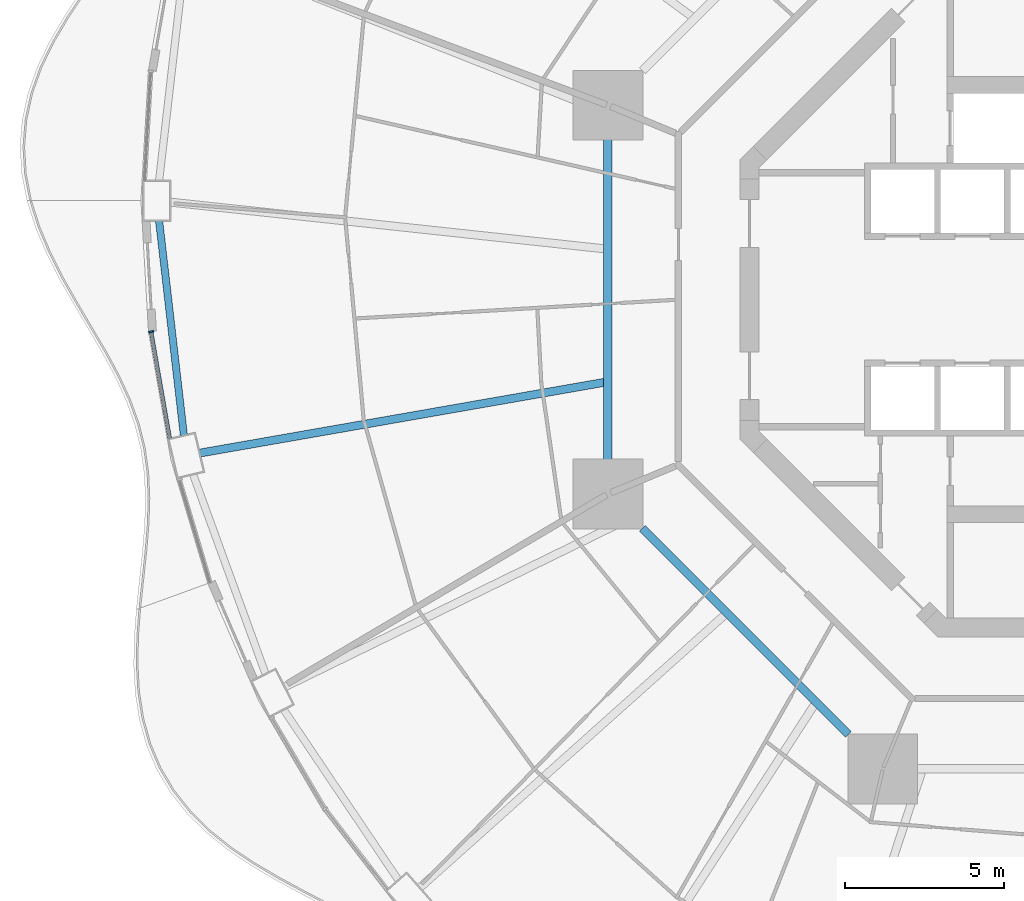
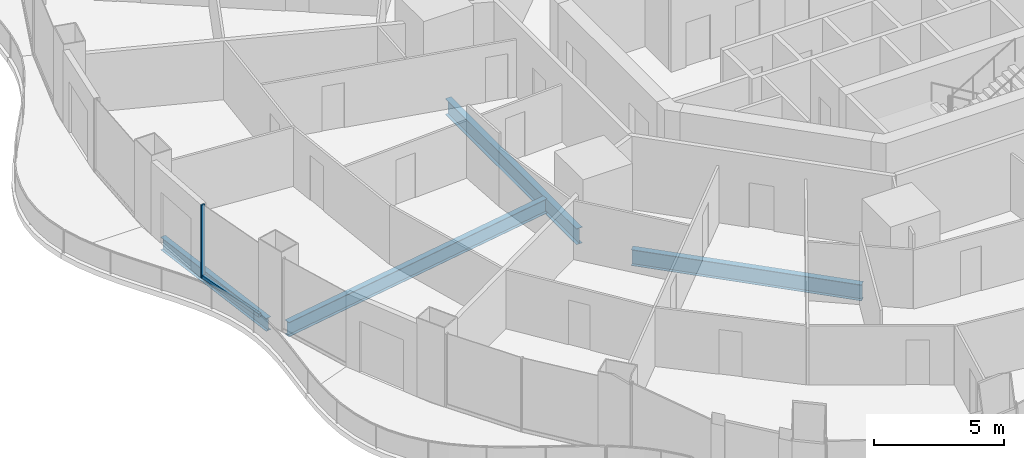
# One storey, part 4 of 22: 4 beams, 2 members, 1 element without a shape of its own.
"""IFC4 building model written with IfcOpenShell, lengths in metres."""

from ifc_helpers import new_model, si_unit, direction, frame, origin, origin_2d, place, context, subcontext, project, spatial, rectangle, i_section, extrude, material, layer, layer_set, material_profile, profile_set, type_object, element, aggregate, save


model = new_model("IFC4")

# Units and contexts
model_context = context("Model", 3, precision=1e-05, world=origin(), true_north=direction((0.0, 1.0)))
body_context = subcontext(model_context, "Body", "Model", "MODEL_VIEW")
ifc_project = project(units=[si_unit("LENGTHUNIT", "METRE"), si_unit("AREAUNIT", "SQUARE_METRE"), si_unit("VOLUMEUNIT", "CUBIC_METRE"), si_unit("PLANEANGLEUNIT", "RADIAN"), si_unit("MASSUNIT", "GRAM", prefix="KILO")], contexts=[model_context])

# Site, building, storey
site_placement = place(None, origin())
site = spatial("IfcSite", under=ifc_project, at=site_placement, CompositionType="ELEMENT")
building_placement = place(site_placement, origin())
building = spatial("IfcBuilding", under=site, at=building_placement, Name="Nagisa Residences", CompositionType="ELEMENT")
storey_placement = place(building_placement, frame((0.0, 0.0, 88.10009765625)))
storey = spatial("IfcBuildingStorey", under=building, at=storey_placement, Name="L21", CompositionType="ELEMENT", Elevation=88.10009765625)

# Curtain wall, members
ifc_material_1 = material(Name="Concrete-coloured aluminium curtain wall system", Category="concrete")
ifc_layer = layer(ifc_material_1, 0.159912109375)
ifc_layer_set = layer_set([ifc_layer], Name="CW1 CURTAIN WALL")
curtain_wall_type = type_object("IfcCurtainWallType", Name="CW1 CURTAIN WALL", PredefinedType="NOTDEFINED", material=ifc_layer_set)
curtain_wall_placement = place(storey_placement, origin())
curtain_wall = element("IfcCurtainWall", 1, at=curtain_wall_placement, inside=storey, type_object=curtain_wall_type, Name="cw:CW1:L21:25", PredefinedType="NOTDEFINED")
ifc_material_2 = material(Name="Concrete-coloured aluminium", Category="concrete")
ifc_material_profile_1 = material_profile(ifc_material_2, rectangle(XDim=0.159912109375, YDim=0.06005859375, at=origin_2d()), Name="CW1 MULLION 160x60")
ifc_profile_set_1 = profile_set([ifc_material_profile_1], Name="Concrete-coloured aluminium")
member_type_1 = type_object("IfcMemberType", Name="CW1 MULLION 160x60", PredefinedType="MULLION", material=ifc_profile_set_1)
member_1_placement = place(storey_placement, frame((-29.174072265625, -1.01171875, 0.0), z_axis=(0.0, 0.0, 1.0), x_axis=(0.985063604377, 0.172190868898, 0.0)))
member_1 = element("IfcMember", 2, at=member_1_placement, type_object=member_type_1, Name="CW1 mullion", PredefinedType="MULLION", context=body_context, shape_type="SweptSolid", body=[
    extrude(rectangle(XDim=0.159912109375, YDim=0.06005859375, at=origin_2d()), origin(), (0.0, 0.0, 1.0), 3.43994140625),
])
ifc_material_3 = material(Name="Concrete-coloured aluminium", Category="concrete")
ifc_material_profile_2 = material_profile(ifc_material_3, rectangle(XDim=0.1201171875, YDim=0.14990234375, at=origin_2d()), Name="CW1 TRANSOM 120x150")
ifc_profile_set_2 = profile_set([ifc_material_profile_2], Name="Concrete-coloured aluminium")
member_type_2 = type_object("IfcMemberType", Name="CW1 TRANSOM 120x150", PredefinedType="USERDEFINED", material=ifc_profile_set_2)
member_2_placement = place(storey_placement, frame((-29.17919921875, -0.982177734375, 0.074951171875), z_axis=(0.172164316671, -0.985068245385, 0.0), x_axis=(0.985068245385, 0.172164316671, 0.0)))
member_2 = element("IfcMember", 3, at=member_2_placement, type_object=member_type_2, Name="CW1 transom", ObjectType="TRANSOM", PredefinedType="USERDEFINED", context=body_context, shape_type="SweptSolid", body=[
    extrude(rectangle(XDim=0.1201171875, YDim=0.14990234375, at=origin_2d()), origin(), (0.0, 0.0, 1.0), 3.454345703125),
])
aggregate(curtain_wall, [member_1, member_2])

# Beams
ifc_material_4 = material(Name="Steel ASTM A572 Gr 50", Category="steel")
ifc_material_profile_3 = material_profile(ifc_material_4, i_section(OverallWidth=0.264892578125, OverallDepth=0.7529296875, WebThickness=0.01318359375, FlangeThickness=0.01708984375, at=origin_2d()), Name="W760x147")
ifc_profile_set_3 = profile_set([ifc_material_profile_3], Name="Steel ASTM A572 Gr 50")
beam_type_1 = type_object("IfcBeamType", Name="Inner ring beam W760x147", PredefinedType="BEAM", material=ifc_profile_set_3)
beam_1_placement = place(storey_placement, frame((-14.781982421875, 5.04296875, -0.63671875), z_axis=(0.0, -1.0, 0.0), x_axis=(1.0, 0.0, 0.0)))
element("IfcBeam", 4, at=beam_1_placement, inside=storey, type_object=beam_type_1, Name="beam:L21:ib4", PredefinedType="BEAM", context=body_context, shape_type="SweptSolid", body=[
    extrude(i_section(OverallWidth=0.264892578125, OverallDepth=0.7529296875, WebThickness=0.01318359375, FlangeThickness=0.01708984375, at=origin_2d()), origin(), (0.0, 0.0, 1.0), 10.0859375),
])
beam_2_placement = place(storey_placement, frame((-13.6962890625, -7.208740234375, -0.63671875), z_axis=(0.707106781187, -0.707106781187, 0.0), x_axis=(0.707106781187, 0.707106781187, 0.0)))
element("IfcBeam", 5, at=beam_2_placement, inside=storey, type_object=beam_type_1, Name="beam:L21:ib5", PredefinedType="BEAM", context=body_context, shape_type="SweptSolid", body=[
    extrude(i_section(OverallWidth=0.264892578125, OverallDepth=0.7529296875, WebThickness=0.01318359375, FlangeThickness=0.01708984375, at=origin_2d()), origin(), (0.0, 0.0, 1.0), 9.1748046875),
])
ifc_material_5 = material(Name="Steel ASTM A572 Gr 50", Category="steel")
ifc_material_profile_4 = material_profile(ifc_material_5, i_section(OverallWidth=0.22802734375, OverallDepth=0.60302734375, WebThickness=0.010498046875, FlangeThickness=0.014892578125, at=origin_2d()), Name="W610x101")
ifc_profile_set_4 = profile_set([ifc_material_profile_4], Name="Steel ASTM A572 Gr 50")
beam_type_2 = type_object("IfcBeamType", Name="Perimeter ring beam W610x101", PredefinedType="BEAM", material=ifc_profile_set_4)
beam_3_placement = place(storey_placement, frame((-28.92236328125, 2.487548828125, -0.5615234375), z_axis=(0.114690766503, -0.993401242237, 0.0), x_axis=(0.993401242237, 0.114690766503, 0.0)))
element("IfcBeam", 6, at=beam_3_placement, inside=storey, type_object=beam_type_2, Name="beam:L21:pb13", PredefinedType="BEAM", context=body_context, shape_type="SweptSolid", body=[
    extrude(i_section(OverallWidth=0.22802734375, OverallDepth=0.60302734375, WebThickness=0.010498046875, FlangeThickness=0.014892578125, at=origin_2d()), origin(), (0.0, 0.0, 1.0), 6.811767578125),
])
ifc_material_6 = material(Name="Steel ASTM A572 Gr 50", Category="steel")
ifc_material_profile_5 = material_profile(ifc_material_6, i_section(OverallWidth=0.2529296875, OverallDepth=0.677978515625, WebThickness=0.01171875, FlangeThickness=0.016357421875, at=origin_2d()), Name="W690x125")
ifc_profile_set_5 = profile_set([ifc_material_profile_5], Name="Steel ASTM A572 Gr 50")
beam_type_3 = type_object("IfcBeamType", Name="Radial beam W690x125", PredefinedType="BEAM", material=ifc_profile_set_5)
beam_4_placement = place(storey_placement, frame((-27.64404296875, -4.83544921875, -0.59912109375), z_axis=(0.985042235616, 0.172313069883, 0.0), x_axis=(-0.172313069883, 0.985042235616, 0.0)))
element("IfcBeam", 7, at=beam_4_placement, inside=storey, type_object=beam_type_3, Name="beam:L21:rb14", PredefinedType="BEAM", context=body_context, shape_type="SweptSolid", body=[
    extrude(i_section(OverallWidth=0.2529296875, OverallDepth=0.677978515625, WebThickness=0.01171875, FlangeThickness=0.016357421875, at=origin_2d()), origin(), (0.0, 0.0, 1.0), 12.94287109375),
])

save(model, "model.ifc")
